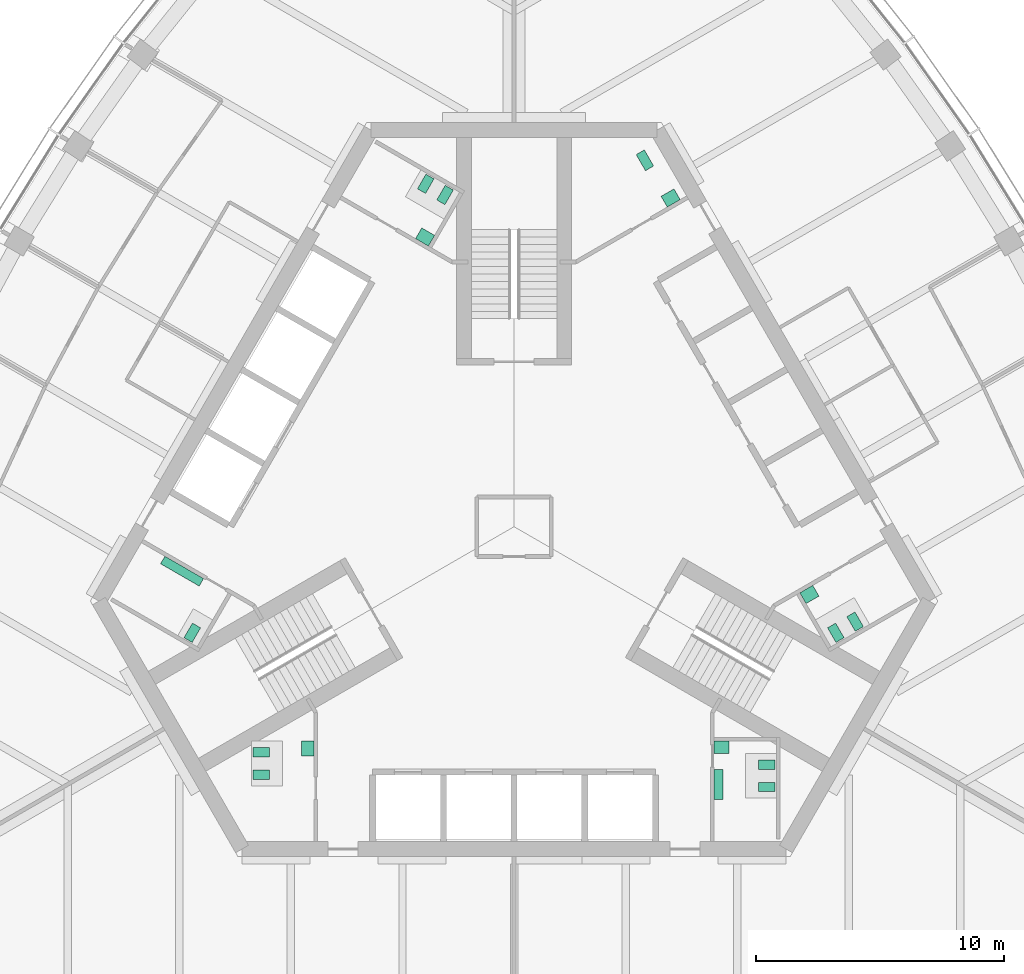
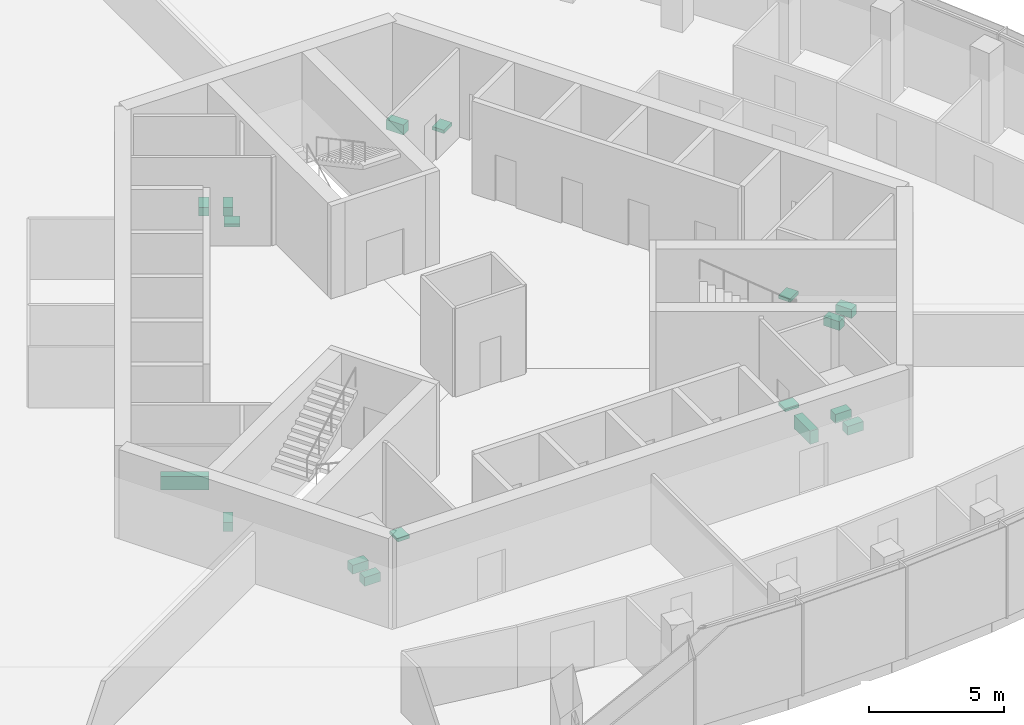
# One storey, part 15 of 16: 17 sanitary terminals.
"""IFC4 building model written with IfcOpenShell, lengths in metres."""

from ifc_helpers import new_model, si_unit, direction, frame, origin, place, context, subcontext, project, spatial, polyline, outline, extrude, material, type_object, element, save


model = new_model("IFC4")

# Units and contexts
model_context = context("Model", 3, precision=1e-05, world=origin(), true_north=direction((0.0, 1.0)))
body_context = subcontext(model_context, "Body", "Model", "MODEL_VIEW")
ifc_project = project(units=[si_unit("LENGTHUNIT", "METRE"), si_unit("AREAUNIT", "SQUARE_METRE"), si_unit("VOLUMEUNIT", "CUBIC_METRE"), si_unit("PLANEANGLEUNIT", "RADIAN"), si_unit("MASSUNIT", "GRAM", prefix="KILO")], contexts=[model_context])

# Site, building, storey
site_placement = place(None, origin())
site = spatial("IfcSite", under=ifc_project, at=site_placement, CompositionType="ELEMENT")
building_placement = place(site_placement, origin())
building = spatial("IfcBuilding", under=site, at=building_placement, Name="Trefoil Bronze Tower", CompositionType="ELEMENT")
storey_placement = place(building_placement, frame((0.0, 0.0, 305.699951171875)))
storey = spatial("IfcBuildingStorey", under=building, at=storey_placement, Name="L70", CompositionType="ELEMENT", Elevation=305.699951171875)

# Sanitary terminals
ifc_material_1 = material(Name="Vitreous china", Category="ceramic")
sanitary_terminal_type_1 = type_object("IfcSanitaryTerminalType", Name="Accessible WC pan", PredefinedType="TOILETPAN", material=ifc_material_1)
sanitary_terminal_1_placement = place(storey_placement, origin())
element("IfcSanitaryTerminal", 1, at=sanitary_terminal_1_placement, inside=storey, type_object=sanitary_terminal_type_1, Name="WC pan 1 Accessible WC L70", PredefinedType="TOILETPAN", context=body_context, shape_type="SweptSolid", body=[
    extrude(outline(polyline([(5.300537109375, 14.359130859375), (4.925537109375, 15.008544921875), (5.254638671875, 15.198486328125), (5.629638671875, 14.549072265625), (5.300537109375, 14.359130859375)])), origin(), (0.0, 0.0, 1.0), 0.449951171875),
])
ifc_material_2 = material(Name="Vitreous china", Category="ceramic")
sanitary_terminal_type_2 = type_object("IfcSanitaryTerminalType", Name="Accessible basin", PredefinedType="WASHHANDBASIN", material=ifc_material_2)
sanitary_terminal_2_placement = place(storey_placement, frame((0.0, 0.0, 0.650146484375)))
element("IfcSanitaryTerminal", 2, at=sanitary_terminal_2_placement, inside=storey, type_object=sanitary_terminal_type_2, Name="Wash basin Accessible WC L70", PredefinedType="WASHHANDBASIN", context=body_context, shape_type="SweptSolid", body=[
    extrude(outline(polyline([(6.181640625, 12.89306640625), (5.931640625, 13.326171875), (6.451171875, 13.626220703125), (6.701171875, 13.193115234375), (6.181640625, 12.89306640625)])), origin(), (0.0, 0.0, 1.0), 0.14990234375),
])
ifc_material_3 = material(Name="Vitreous china", Category="ceramic")
sanitary_terminal_type_3 = type_object("IfcSanitaryTerminalType", Name="Urinal range 2 urinals", PredefinedType="URINAL", material=ifc_material_3)
sanitary_terminal_3_placement = place(storey_placement, frame((0.0, 0.0, 0.400146484375)))
element("IfcSanitaryTerminal", 3, at=sanitary_terminal_3_placement, inside=storey, type_object=sanitary_terminal_type_3, Name="Urinal range WC (men) L70", PredefinedType="URINAL", context=body_context, shape_type="SweptSolid", body=[
    extrude(outline(polyline([(8.074951171875, -9.800048828125), (8.425048828125, -9.800048828125), (8.425048828125, -11.0), (8.074951171875, -11.0), (8.074951171875, -9.800048828125)])), origin(), (0.0, 0.0, 1.0), 0.599853515625),
])
ifc_material_4 = material(Name="Vitreous china", Category="ceramic")
sanitary_terminal_type_4 = type_object("IfcSanitaryTerminalType", Name="Urinal range 3 urinals", PredefinedType="URINAL", material=ifc_material_4)
sanitary_terminal_4_placement = place(storey_placement, frame((0.0, 0.0, 0.400146484375)))
element("IfcSanitaryTerminal", 4, at=sanitary_terminal_4_placement, inside=storey, type_object=sanitary_terminal_type_4, Name="Urinal range WC (men) L70", PredefinedType="URINAL", context=body_context, shape_type="SweptSolid", body=[
    extrude(outline(polyline([(-12.524658203125, -2.09326171875), (-12.699462890625, -2.396240234375), (-14.25830078125, -1.496337890625), (-14.08349609375, -1.193115234375), (-12.524658203125, -2.09326171875)])), origin(), (0.0, 0.0, 1.0), 0.599853515625),
])
ifc_material_5 = material(Name="Solid surface vanity", Category="plastic")
sanitary_terminal_type_5 = type_object("IfcSanitaryTerminalType", Name="Vanity unit 1 basins", PredefinedType="WASHHANDBASIN", material=ifc_material_5)
sanitary_terminal_5_placement = place(storey_placement, frame((0.0, 0.0, 0.75)))
element("IfcSanitaryTerminal", 5, at=sanitary_terminal_5_placement, inside=storey, type_object=sanitary_terminal_type_5, Name="Vanity unit WC (men) L70", PredefinedType="WASHHANDBASIN", context=body_context, shape_type="SweptSolid", body=[
    extrude(outline(polyline([(8.074951171875, -8.64990234375), (8.675048828125, -8.64990234375), (8.675048828125, -9.14990234375), (8.074951171875, -9.14990234375), (8.074951171875, -8.64990234375)])), origin(), (0.0, 0.0, 1.0), 0.150146484375),
])
sanitary_terminal_6_placement = place(storey_placement, frame((0.0, 0.0, 0.75)))
element("IfcSanitaryTerminal", 6, at=sanitary_terminal_6_placement, inside=storey, type_object=sanitary_terminal_type_5, Name="Vanity unit WC (women) L70", PredefinedType="WASHHANDBASIN", context=body_context, shape_type="SweptSolid", body=[
    extrude(outline(polyline([(11.528564453125, -2.668212890625), (11.778564453125, -3.10107421875), (12.29833984375, -2.80126953125), (12.04833984375, -2.3681640625), (11.528564453125, -2.668212890625)])), origin(), (0.0, 0.0, 1.0), 0.150146484375),
])
sanitary_terminal_7_placement = place(storey_placement, frame((0.0, 0.0, 0.75)))
element("IfcSanitaryTerminal", 7, at=sanitary_terminal_7_placement, inside=storey, type_object=sanitary_terminal_type_5, Name="Vanity unit WC (women) L70", PredefinedType="WASHHANDBASIN", context=body_context, shape_type="SweptSolid", body=[
    extrude(outline(polyline([(-3.45361328125, 11.318115234375), (-3.20361328125, 11.751220703125), (-3.72314453125, 12.05126953125), (-3.97314453125, 11.6181640625), (-3.45361328125, 11.318115234375)])), origin(), (0.0, 0.0, 1.0), 0.150146484375),
])
sanitary_terminal_8_placement = place(storey_placement, frame((0.0, 0.0, 0.75)))
element("IfcSanitaryTerminal", 8, at=sanitary_terminal_8_placement, inside=storey, type_object=sanitary_terminal_type_5, Name="Vanity unit WC (women) L70", PredefinedType="WASHHANDBASIN", context=body_context, shape_type="SweptSolid", body=[
    extrude(outline(polyline([(-8.074951171875, -8.64990234375), (-8.574951171875, -8.64990234375), (-8.574951171875, -9.25), (-8.074951171875, -9.25), (-8.074951171875, -8.64990234375)])), origin(), (0.0, 0.0, 1.0), 0.150146484375),
])
ifc_material_6 = material(Name="Vitreous china", Category="ceramic")
sanitary_terminal_type_6 = type_object("IfcSanitaryTerminalType", Name="WC pan", PredefinedType="TOILETPAN", material=ifc_material_6)
sanitary_terminal_9_placement = place(storey_placement, origin())
element("IfcSanitaryTerminal", 9, at=sanitary_terminal_9_placement, inside=storey, type_object=sanitary_terminal_type_6, Name="WC pan 1 WC (men) L70", PredefinedType="TOILETPAN", context=body_context, shape_type="SweptSolid", body=[
    extrude(outline(polyline([(9.85498046875, -9.409912109375), (10.534912109375, -9.409912109375), (10.534912109375, -9.7900390625), (9.85498046875, -9.7900390625), (9.85498046875, -9.409912109375)])), origin(), (0.0, 0.0, 1.0), 0.400146484375),
])
sanitary_terminal_10_placement = place(storey_placement, origin())
element("IfcSanitaryTerminal", 10, at=sanitary_terminal_10_placement, inside=storey, type_object=sanitary_terminal_type_6, Name="WC pan 2 WC (men) L70", PredefinedType="TOILETPAN", context=body_context, shape_type="SweptSolid", body=[
    extrude(outline(polyline([(9.85498046875, -10.31005859375), (10.534912109375, -10.31005859375), (10.534912109375, -10.68994140625), (9.85498046875, -10.68994140625), (9.85498046875, -10.31005859375)])), origin(), (0.0, 0.0, 1.0), 0.400146484375),
])
sanitary_terminal_11_placement = place(storey_placement, origin())
element("IfcSanitaryTerminal", 11, at=sanitary_terminal_11_placement, inside=storey, type_object=sanitary_terminal_type_6, Name="WC pan 1 WC (women) L70", PredefinedType="TOILETPAN", context=body_context, shape_type="SweptSolid", body=[
    extrude(outline(polyline([(12.643798828125, -4.07958984375), (12.98388671875, -4.66845703125), (13.31298828125, -4.478515625), (12.972900390625, -3.8896484375), (12.643798828125, -4.07958984375)])), origin(), (0.0, 0.0, 1.0), 0.400146484375),
])
sanitary_terminal_12_placement = place(storey_placement, origin())
element("IfcSanitaryTerminal", 12, at=sanitary_terminal_12_placement, inside=storey, type_object=sanitary_terminal_type_6, Name="WC pan 2 WC (women) L70", PredefinedType="TOILETPAN", context=body_context, shape_type="SweptSolid", body=[
    extrude(outline(polyline([(13.423095703125, -3.629638671875), (13.76318359375, -4.218505859375), (14.09228515625, -4.028564453125), (13.752197265625, -3.439697265625), (13.423095703125, -3.629638671875)])), origin(), (0.0, 0.0, 1.0), 0.400146484375),
])
sanitary_terminal_13_placement = place(storey_placement, origin())
element("IfcSanitaryTerminal", 13, at=sanitary_terminal_13_placement, inside=storey, type_object=sanitary_terminal_type_6, Name="WC pan 1 WC (women) L70", PredefinedType="TOILETPAN", context=body_context, shape_type="SweptSolid", body=[
    extrude(outline(polyline([(-2.788818359375, 12.98974609375), (-2.44873046875, 13.57861328125), (-2.77783203125, 13.7685546875), (-3.117919921875, 13.1796875), (-2.788818359375, 12.98974609375)])), origin(), (0.0, 0.0, 1.0), 0.400146484375),
])
sanitary_terminal_14_placement = place(storey_placement, origin())
element("IfcSanitaryTerminal", 14, at=sanitary_terminal_14_placement, inside=storey, type_object=sanitary_terminal_type_6, Name="WC pan 2 WC (women) L70", PredefinedType="TOILETPAN", context=body_context, shape_type="SweptSolid", body=[
    extrude(outline(polyline([(-3.568115234375, 13.439697265625), (-3.228271484375, 14.028564453125), (-3.557373046875, 14.218505859375), (-3.897216796875, 13.629638671875), (-3.568115234375, 13.439697265625)])), origin(), (0.0, 0.0, 1.0), 0.400146484375),
])
sanitary_terminal_15_placement = place(storey_placement, origin())
element("IfcSanitaryTerminal", 15, at=sanitary_terminal_15_placement, inside=storey, type_object=sanitary_terminal_type_6, Name="WC pan 1 WC (men) L70", PredefinedType="TOILETPAN", context=body_context, shape_type="SweptSolid", body=[
    extrude(outline(polyline([(-12.643798828125, -4.07958984375), (-12.98388671875, -4.66845703125), (-13.31298828125, -4.478515625), (-12.972900390625, -3.8896484375), (-12.643798828125, -4.07958984375)])), origin(), (0.0, 0.0, 1.0), 0.400146484375),
])
sanitary_terminal_16_placement = place(storey_placement, origin())
element("IfcSanitaryTerminal", 16, at=sanitary_terminal_16_placement, inside=storey, type_object=sanitary_terminal_type_6, Name="WC pan 1 WC (women) L70", PredefinedType="TOILETPAN", context=body_context, shape_type="SweptSolid", body=[
    extrude(outline(polyline([(-9.85498046875, -8.909912109375), (-10.534912109375, -8.909912109375), (-10.534912109375, -9.2900390625), (-9.85498046875, -9.2900390625), (-9.85498046875, -8.909912109375)])), origin(), (0.0, 0.0, 1.0), 0.400146484375),
])
sanitary_terminal_17_placement = place(storey_placement, origin())
element("IfcSanitaryTerminal", 17, at=sanitary_terminal_17_placement, inside=storey, type_object=sanitary_terminal_type_6, Name="WC pan 2 WC (women) L70", PredefinedType="TOILETPAN", context=body_context, shape_type="SweptSolid", body=[
    extrude(outline(polyline([(-9.85498046875, -9.81005859375), (-10.534912109375, -9.81005859375), (-10.534912109375, -10.18994140625), (-9.85498046875, -10.18994140625), (-9.85498046875, -9.81005859375)])), origin(), (0.0, 0.0, 1.0), 0.400146484375),
])

save(model, "model.ifc")
